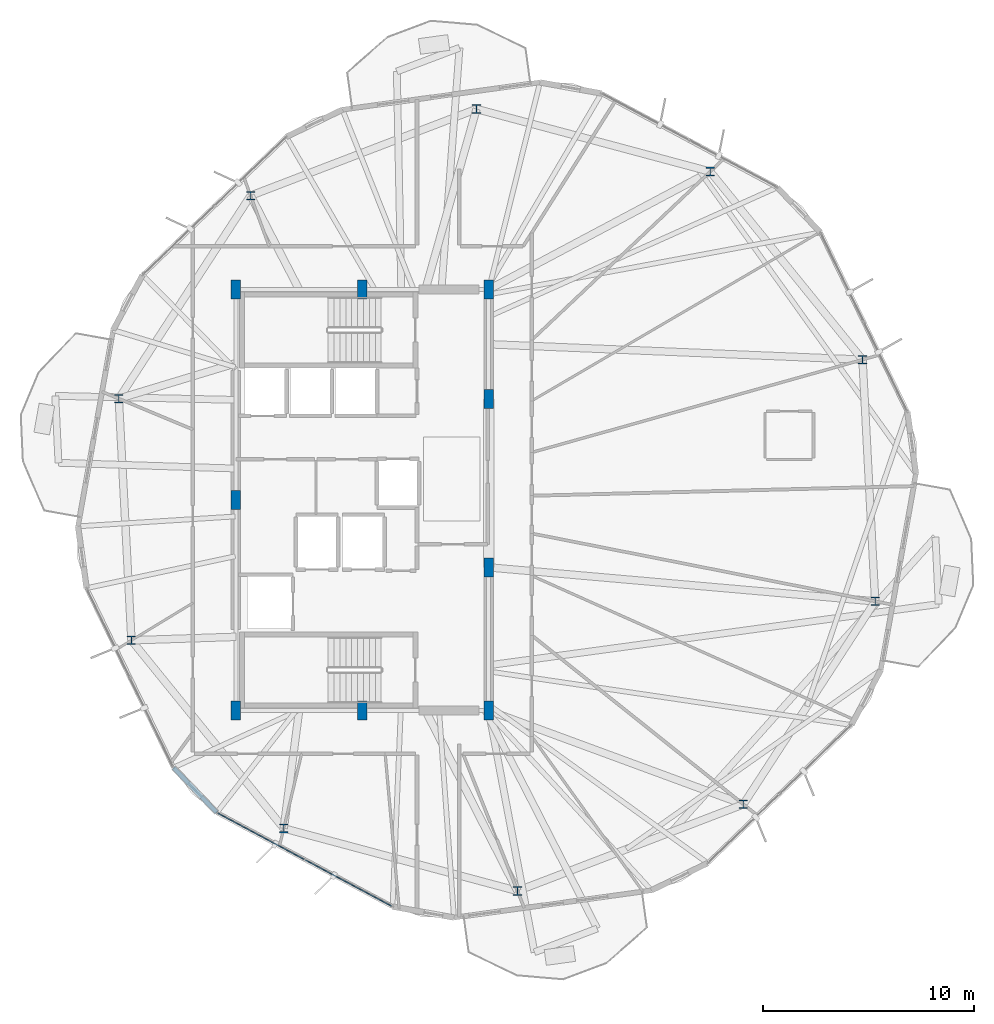
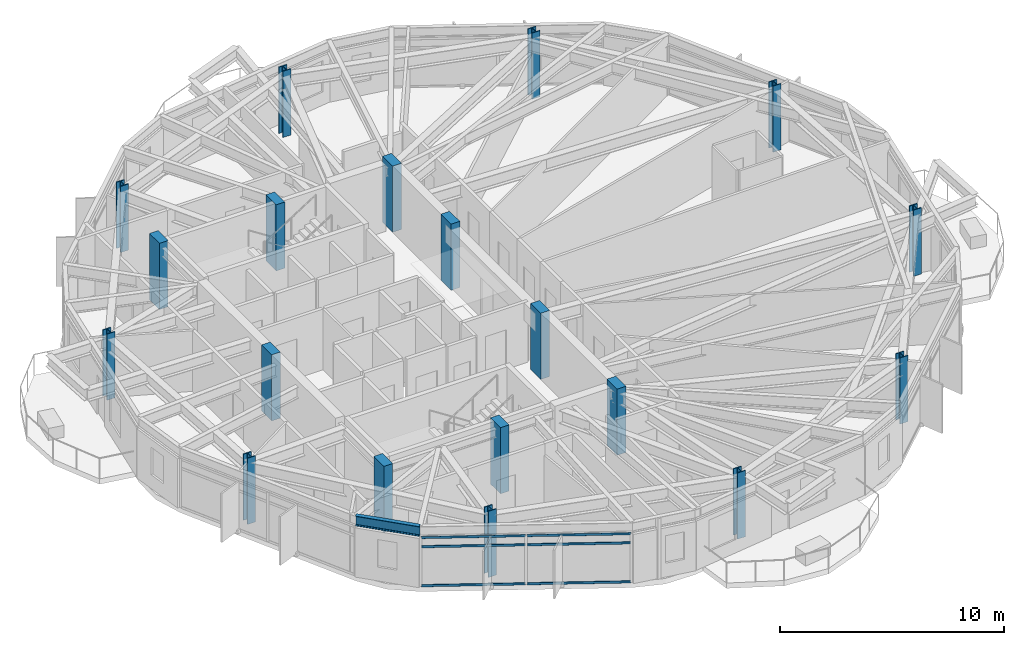
# One storey, part 1 of 26: 19 columns, 6 members, 1 beam, 1 element without a shape of its own.
"""IFC4 building model written with IfcOpenShell, lengths in metres."""

from ifc_helpers import new_model, si_unit, direction, frame, origin, origin_2d, place, context, subcontext, project, spatial, rectangle, hollow_rectangle, i_section, extrude, material, layer, layer_set, material_profile, profile_set, type_object, element, aggregate, save


model = new_model("IFC4")

# Units and contexts
model_context = context("Model", 3, precision=1e-05, world=origin(), true_north=direction((0.0, 1.0)))
body_context = subcontext(model_context, "Body", "Model", "MODEL_VIEW")
ifc_project = project(units=[si_unit("LENGTHUNIT", "METRE"), si_unit("AREAUNIT", "SQUARE_METRE"), si_unit("VOLUMEUNIT", "CUBIC_METRE"), si_unit("PLANEANGLEUNIT", "RADIAN"), si_unit("MASSUNIT", "GRAM", prefix="KILO")], contexts=[model_context])

# Site, building, storey
site_placement = place(None, origin())
site = spatial("IfcSite", under=ifc_project, at=site_placement, CompositionType="ELEMENT")
building_placement = place(site_placement, origin())
building = spatial("IfcBuilding", under=site, at=building_placement, Name="Soratama Intermodal Tower", CompositionType="ELEMENT")
storey_placement = place(building_placement, frame((0.0, 0.0, 194.199951171875)))
storey = spatial("IfcBuildingStorey", under=building, at=storey_placement, Name="L48", CompositionType="ELEMENT", Elevation=194.199951171875)

# Columns
ifc_material_1 = material(Name="Structural steel ASTM A992 Grade 50", Category="steel")
ifc_material_profile_1 = material_profile(ifc_material_1, i_section(OverallWidth=0.406005859375, OverallDepth=0.416015625, WebThickness=0.02978515625, FlangeThickness=0.048095703125, FilletRadius=0.0380859375, at=origin_2d()), Name="W14X257")
ifc_profile_set_1 = profile_set([ifc_material_profile_1], Name="Structural steel ASTM A992 Grade 50")
column_type_1 = type_object("IfcColumnType", Name="COL-ZD-W14X257", PredefinedType="COLUMN", material=ifc_profile_set_1)
for number, where, z_axis, x_axis, name in (
    (1, (62.364501953125, 31.66552734375, 0.0), (0.0, 0.0, 1.0), (1.0, 0.0, 0.0), "L48 Tower Ring Column R01"),
    (2, (55.13037109375, 40.599365234375, 0.0), (0.0, 0.0, 1.0), (1.0, 0.0, 0.0), "L48 Tower Ring Column R02"),
    (3, (44.026611328125, 43.574462890625, 0.0), (0.0, 0.0, 1.0), (1.0, 0.0, 0.0), "L48 Tower Ring Column R03"),
    (4, (33.294677734375, 39.454833984375, 0.0), (0.0, 0.0, 1.0), (1.0, 0.0, 0.0), "L48 Tower Ring Column R04"),
    (5, (27.03369140625, 29.81396484375, 0.0), (0.0, 0.0, 1.0), (1.0, 0.0, 0.0), "L48 Tower Ring Column R05"),
    (6, (27.635498046875, 18.33447265625, 0.0), (0.0, 0.0, 1.0), (1.0, 0.0, 0.0), "L48 Tower Ring Column R06"),
    (7, (34.86962890625, 9.400634765625, 0.0), (0.0, 0.0, 1.0), (1.0, 0.0, 0.0), "L48 Tower Ring Column R07"),
    (8, (45.973388671875, 6.425537109375, 0.0), (0.0, 0.0, 1.0), (1.0, 0.0, 0.0), "L48 Tower Ring Column R08"),
    (9, (56.705322265625, 10.545166015625, 0.0), (0.0, 0.0, 1.0), (1.0, 0.0, 0.0), "L48 Tower Ring Column R09"),
    (10, (62.96630859375, 20.18603515625, 0.0), (0.0, 0.0, 1.0), (1.0, 0.0, 0.0), "L48 Tower Ring Column R10"),
):
    element("IfcColumn", number, at=place(storey_placement, frame(where, z_axis=z_axis, x_axis=x_axis)), inside=storey, type_object=column_type_1, Name=name, PredefinedType="COLUMN", context=body_context, shape_type="SweptSolid", body=[
        extrude(i_section(OverallWidth=0.406005859375, OverallDepth=0.416015625, WebThickness=0.02978515625, FlangeThickness=0.048095703125, FilletRadius=0.0380859375, at=origin_2d()), origin(), (0.0, 0.0, 1.0), 3.60009765625),
    ])
ifc_material_2 = material(Name="Concrete f'c 56 MPa", Category="concrete")
ifc_material_profile_2 = material_profile(ifc_material_2, rectangle(XDim=0.449951171875, YDim=0.89990234375, at=origin_2d()), Name="RC450X900")
ifc_profile_set_2 = profile_set([ifc_material_profile_2], Name="Concrete f'c 56 MPa")
column_type_2 = type_object("IfcColumnType", Name="PIL-CORE-450X900", PredefinedType="PILASTER", material=ifc_profile_set_2)
for number, where, z_axis, x_axis, name in (
    (11, (32.60009765625, 15.0, 0.0), (0.0, 0.0, 1.0), (1.0, 0.0, 0.0), "L48 Core Pilaster 1"),
    (12, (32.60009765625, 25.0, 0.0), (0.0, 0.0, 1.0), (1.0, 0.0, 0.0), "L48 Core Pilaster 2"),
    (13, (32.60009765625, 35.0, 0.0), (0.0, 0.0, 1.0), (1.0, 0.0, 0.0), "L48 Core Pilaster 3"),
    (14, (38.60009765625, 15.0, 0.0), (0.0, 0.0, 1.0), (1.0, 0.0, 0.0), "L48 Core Pilaster 4"),
    (15, (38.60009765625, 35.0, 0.0), (0.0, 0.0, 1.0), (1.0, 0.0, 0.0), "L48 Core Pilaster 5"),
    (16, (44.60009765625, 15.0, 0.0), (0.0, 0.0, 1.0), (1.0, 0.0, 0.0), "L48 Core Pilaster 6"),
    (17, (44.60009765625, 21.800048828125, 0.0), (0.0, 0.0, 1.0), (1.0, 0.0, 0.0), "L48 Core Pilaster 7"),
    (18, (44.60009765625, 29.800048828125, 0.0), (0.0, 0.0, 1.0), (1.0, 0.0, 0.0), "L48 Core Pilaster 8"),
    (19, (44.60009765625, 35.0, 0.0), (0.0, 0.0, 1.0), (1.0, 0.0, 0.0), "L48 Core Pilaster 9"),
):
    element("IfcColumn", number, at=place(storey_placement, frame(where, z_axis=z_axis, x_axis=x_axis)), inside=storey, type_object=column_type_2, Name=name, PredefinedType="PILASTER", context=body_context, shape_type="SweptSolid", body=[
        extrude(rectangle(XDim=0.449951171875, YDim=0.89990234375, at=origin_2d()), origin(), (0.0, 0.0, 1.0), 3.60009765625),
    ])

# Beam
ifc_material_3 = material(Name="Structural steel ASTM A992 Grade 50", Category="steel")
ifc_material_profile_3 = material_profile(ifc_material_3, i_section(OverallWidth=0.2099609375, OverallDepth=0.537109375, WebThickness=0.010986328125, FlangeThickness=0.017333984375, FilletRadius=0.012939453125, at=origin_2d()), Name="W21X68")
ifc_profile_set_3 = profile_set([ifc_material_profile_3], Name="Structural steel ASTM A992 Grade 50")
beam_type = type_object("IfcBeamType", Name="BM-SPN-W21X68", PredefinedType="SPANDREL", material=ifc_profile_set_3)
beam_placement = place(storey_placement, frame((29.631103515625, 12.2880859375, 3.031494140625), z_axis=(0.692937671627, -0.720997491841, 0.0), x_axis=(0.720997491841, 0.692937671627, 0.0)))
element("IfcBeam", 20, at=beam_placement, inside=storey, type_object=beam_type, Name="BS-L48-CRN05", PredefinedType="SPANDREL", context=body_context, shape_type="SweptSolid", body=[
    extrude(i_section(OverallWidth=0.2099609375, OverallDepth=0.537109375, WebThickness=0.010986328125, FlangeThickness=0.017333984375, FilletRadius=0.012939453125, at=origin_2d()), origin(), (0.0, 0.0, 1.0), 2.967041015625),
])

# Curtain wall, members
ifc_material_4 = material(Name="Double-glazed aluminium curtain wall", Category="aluminium")
ifc_layer = layer(ifc_material_4, 0.159912109375)
ifc_layer_set = layer_set([ifc_layer], Name="Double-glazed aluminium curtain wall")
curtain_wall_type = type_object("IfcCurtainWallType", Name="CW-SYS-5", PredefinedType="NOTDEFINED", material=ifc_layer_set)
curtain_wall_placement = place(storey_placement, origin())
curtain_wall = element("IfcCurtainWall", 21, at=curtain_wall_placement, inside=storey, type_object=curtain_wall_type, Name="L48 Faceted Curtain Wall F06", PredefinedType="NOTDEFINED")
ifc_material_5 = material(Name="Anodised aluminium AA 6063-T6", Category="aluminium")
ifc_material_profile_4 = material_profile(ifc_material_5, hollow_rectangle(XDim=0.06005859375, YDim=0.1298828125, WallThickness=0.0048828125, InnerFilletRadius=0.0048828125, OuterFilletRadius=0.010009765625, at=origin_2d()), Name="CWT130X60X5")
ifc_profile_set_4 = profile_set([ifc_material_profile_4], Name="Anodised aluminium AA 6063-T6")
member_type = type_object("IfcMemberType", Name="TT-CWT-2", PredefinedType="USERDEFINED", material=ifc_profile_set_4)
member_1_placement = place(storey_placement, frame((31.739501953125, 10.12060546875, 0.030029296875), z_axis=(0.881802431852, -0.471618989418, 0.0), x_axis=(0.471618989418, 0.881802431852, 0.0)))
member_1 = element("IfcMember", 22, at=member_1_placement, type_object=member_type, Name="CW-5 transom 1.1", ObjectType="TRANSOM", PredefinedType="USERDEFINED", context=body_context, shape_type="SweptSolid", body=[
    extrude(hollow_rectangle(XDim=0.06005859375, YDim=0.1298828125, WallThickness=0.0048828125, InnerFilletRadius=0.0048828125, OuterFilletRadius=0.010009765625, at=origin_2d()), origin(), (0.0, 0.0, 1.0), 4.6455078125),
])
member_2_placement = place(storey_placement, frame((31.739501953125, 10.12060546875, 2.150146484375), z_axis=(0.881802431852, -0.471618989418, 0.0), x_axis=(0.471618989418, 0.881802431852, 0.0)))
member_2 = element("IfcMember", 23, at=member_2_placement, type_object=member_type, Name="CW-5 transom 1.2", ObjectType="TRANSOM", PredefinedType="USERDEFINED", context=body_context, shape_type="SweptSolid", body=[
    extrude(hollow_rectangle(XDim=0.06005859375, YDim=0.1298828125, WallThickness=0.0048828125, InnerFilletRadius=0.0048828125, OuterFilletRadius=0.010009765625, at=origin_2d()), origin(), (0.0, 0.0, 1.0), 4.6455078125),
])
member_3_placement = place(storey_placement, frame((31.739501953125, 10.12060546875, 2.649169921875), z_axis=(0.881802431852, -0.471618989418, 0.0), x_axis=(0.471618989418, 0.881802431852, 0.0)))
member_3 = element("IfcMember", 24, at=member_3_placement, type_object=member_type, Name="CW-5 transom 1.3", ObjectType="TRANSOM", PredefinedType="USERDEFINED", context=body_context, shape_type="SweptSolid", body=[
    extrude(hollow_rectangle(XDim=0.06005859375, YDim=0.1298828125, WallThickness=0.0048828125, InnerFilletRadius=0.0048828125, OuterFilletRadius=0.010009765625, at=origin_2d()), origin(), (0.0, 0.0, 1.0), 4.6455078125),
])
member_4_placement = place(storey_placement, frame((35.888916015625, 7.9013671875, 0.030029296875), z_axis=(0.881802431852, -0.471618989418, 0.0), x_axis=(0.471618989418, 0.881802431852, 0.0)))
member_4 = element("IfcMember", 25, at=member_4_placement, type_object=member_type, Name="CW-5 transom 2.1", ObjectType="TRANSOM", PredefinedType="USERDEFINED", context=body_context, shape_type="SweptSolid", body=[
    extrude(hollow_rectangle(XDim=0.06005859375, YDim=0.1298828125, WallThickness=0.0048828125, InnerFilletRadius=0.0048828125, OuterFilletRadius=0.010009765625, at=origin_2d()), origin(), (0.0, 0.0, 1.0), 4.6455078125),
])
member_5_placement = place(storey_placement, frame((35.888916015625, 7.9013671875, 2.150146484375), z_axis=(0.881802431852, -0.471618989418, 0.0), x_axis=(0.471618989418, 0.881802431852, 0.0)))
member_5 = element("IfcMember", 26, at=member_5_placement, type_object=member_type, Name="CW-5 transom 2.2", ObjectType="TRANSOM", PredefinedType="USERDEFINED", context=body_context, shape_type="SweptSolid", body=[
    extrude(hollow_rectangle(XDim=0.06005859375, YDim=0.1298828125, WallThickness=0.0048828125, InnerFilletRadius=0.0048828125, OuterFilletRadius=0.010009765625, at=origin_2d()), origin(), (0.0, 0.0, 1.0), 4.6455078125),
])
member_6_placement = place(storey_placement, frame((35.888916015625, 7.9013671875, 2.649169921875), z_axis=(0.881802431852, -0.471618989418, 0.0), x_axis=(0.471618989418, 0.881802431852, 0.0)))
member_6 = element("IfcMember", 27, at=member_6_placement, type_object=member_type, Name="CW-5 transom 2.3", ObjectType="TRANSOM", PredefinedType="USERDEFINED", context=body_context, shape_type="SweptSolid", body=[
    extrude(hollow_rectangle(XDim=0.06005859375, YDim=0.1298828125, WallThickness=0.0048828125, InnerFilletRadius=0.0048828125, OuterFilletRadius=0.010009765625, at=origin_2d()), origin(), (0.0, 0.0, 1.0), 4.6455078125),
])
aggregate(curtain_wall, [member_1, member_2, member_3, member_4, member_5, member_6])

save(model, "model.ifc")
